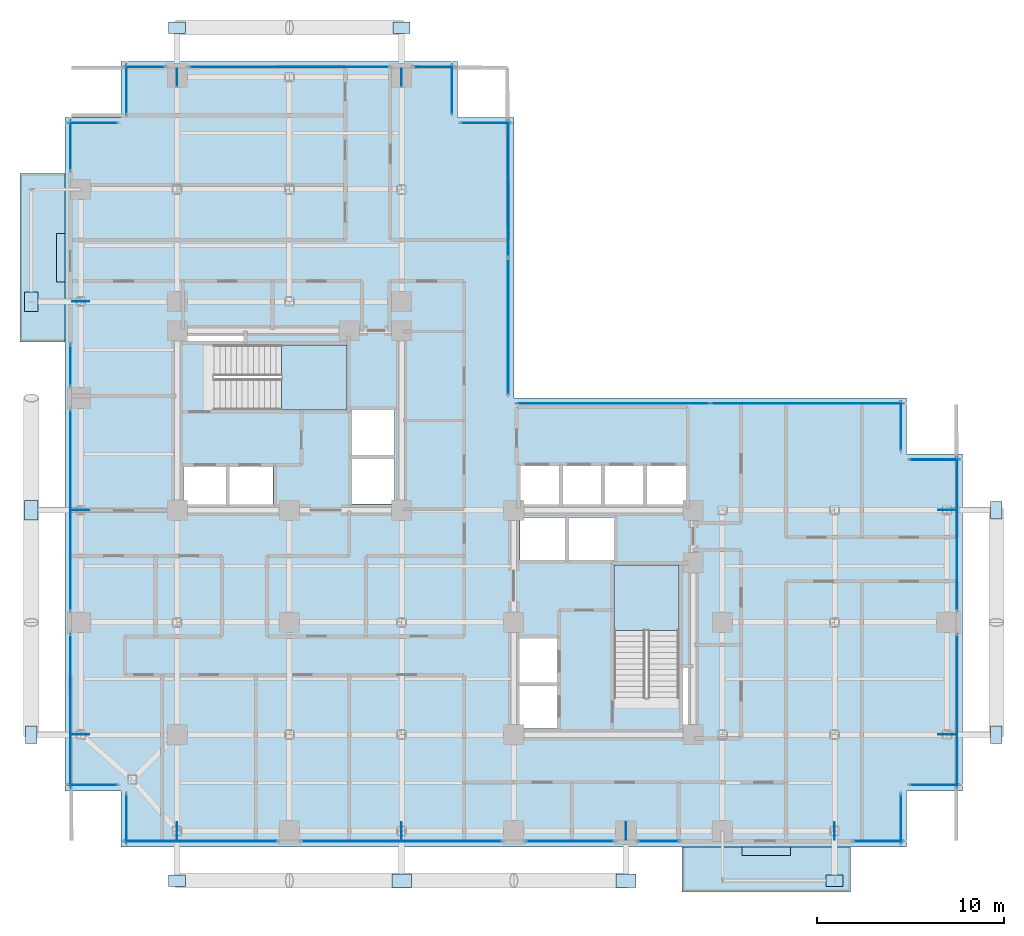
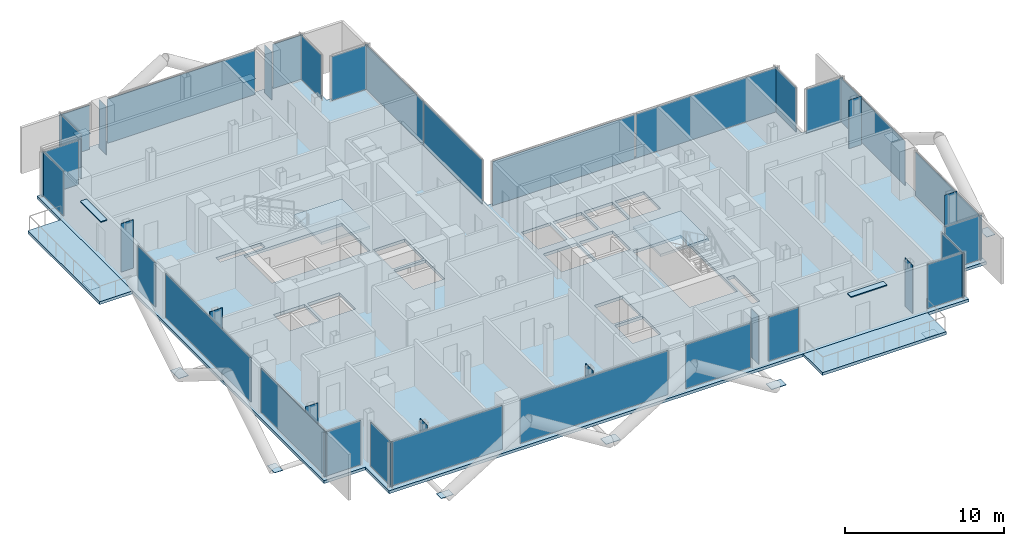
# One storey, part 18 of 28: 52 plates, 5 slabs, 28 elements without a shape of their own.
"""IFC4 building model written with IfcOpenShell, lengths in metres."""

from ifc_helpers import new_model, si_unit, direction, frame, origin, origin_2d, place, context, subcontext, project, spatial, polyline, rectangle, outline, extrude, material, layer, layer_set, type_object, element, aggregate, save


model = new_model("IFC4")

# Units and contexts
model_context = context("Model", 3, precision=1e-05, world=origin(), true_north=direction((0.0, 1.0)))
body_context = subcontext(model_context, "Body", "Model", "MODEL_VIEW")
ifc_project = project(units=[si_unit("LENGTHUNIT", "METRE"), si_unit("AREAUNIT", "SQUARE_METRE"), si_unit("VOLUMEUNIT", "CUBIC_METRE"), si_unit("PLANEANGLEUNIT", "RADIAN"), si_unit("MASSUNIT", "GRAM", prefix="KILO"), si_unit("THERMODYNAMICTEMPERATUREUNIT", "KELVIN"), si_unit("POWERUNIT", "WATT")], contexts=[model_context])

# Site, building, storey
site_placement = place(None, origin())
site = spatial("IfcSite", under=ifc_project, at=site_placement, CompositionType="ELEMENT")
building_placement = place(site_placement, origin())
building = spatial("IfcBuilding", under=site, at=building_placement, Name="Svarakhadi Broadcast Tower", CompositionType="ELEMENT")
storey_placement = place(building_placement, frame((0.0, 0.0, 119.39990234375)))
storey = spatial("IfcBuildingStorey", under=building, at=storey_placement, Name="L28", CompositionType="ELEMENT", Elevation=119.39990234375)

# Curtain wall, plate
ifc_material_1 = material(Name="Anodised Bronze Aluminium AA 6063-T6", Category="aluminium")
ifc_layer_1 = layer(ifc_material_1, 0.199951171875)
ifc_layer_set_1 = layer_set([ifc_layer_1], Name="Anodised Bronze Aluminium AA 6063-T6")
curtain_wall_type = type_object("IfcCurtainWallType", Name="CW_Sys_03", PredefinedType="NOTDEFINED", material=ifc_layer_set_1)
curtain_wall_1_placement = place(storey_placement, origin())
curtain_wall_1 = element("IfcCurtainWall", 1, at=curtain_wall_1_placement, inside=storey, type_object=curtain_wall_type, Name="L28 Unitised Facade Curtain Wall 01", PredefinedType="NOTDEFINED")
ifc_material_2 = material(Name="Double Low-E Laminated Acoustic Glass IGU 36 mm", Category="glass")
ifc_layer_2 = layer(ifc_material_2, 0.035888671875)
ifc_layer_set_2 = layer_set([ifc_layer_2], Name="Double Low-E Laminated Acoustic Glass IGU 36 mm")
plate_type_1 = type_object("IfcPlateType", Name="CW_Sys_03_Pnl", PredefinedType="CURTAIN_PANEL", material=ifc_layer_set_2)
plate_1_placement = place(storey_placement, frame((1.5, 3.300048828125, 0.0703125), z_axis=(0.0, 0.0, 1.0), x_axis=(-1.0, 0.0, 0.0)))
plate_1 = element("IfcPlate", 2, at=plate_1_placement, type_object=plate_type_1, Name="CW-03 panel 1.1", PredefinedType="CURTAIN_PANEL", context=body_context, shape_type="SweptSolid", body=[
    extrude(rectangle(XDim=2.669921875, YDim=0.035888671875, at=origin_2d()), origin(), (0.0, 0.0, 1.0), 3.385009765625),
])
aggregate(curtain_wall_1, [plate_1])

curtain_wall_2_placement = place(storey_placement, origin())
curtain_wall_2 = element("IfcCurtainWall", 3, at=curtain_wall_2_placement, inside=storey, type_object=curtain_wall_type, Name="L28 West Curtain Wall 02 Bay 1", PredefinedType="NOTDEFINED")
plate_2_placement = place(storey_placement, frame((0.300048828125, 7.260009765625, 0.0703125), z_axis=(0.0, 0.0, 1.0), x_axis=(0.0, 1.0, 0.0)))
plate_2 = element("IfcPlate", 4, at=plate_2_placement, type_object=plate_type_1, Name="CW-03 panel 1.1", PredefinedType="CURTAIN_PANEL", context=body_context, shape_type="SweptSolid", body=[
    extrude(rectangle(XDim=8.18994140625, YDim=0.035888671875, at=origin_2d()), origin(), (0.0, 0.0, 1.0), 3.385009765625),
])
aggregate(curtain_wall_2, [plate_2])

curtain_wall_3_placement = place(storey_placement, origin())
curtain_wall_3 = element("IfcCurtainWall", 5, at=curtain_wall_3_placement, inside=storey, type_object=curtain_wall_type, Name="L28 West Curtain Wall 02 Bay 2", PredefinedType="NOTDEFINED")
plate_3_placement = place(storey_placement, frame((0.300048828125, 18.0, 0.0703125), z_axis=(0.0, 0.0, 1.0), x_axis=(0.0, 1.0, 0.0)))
plate_3 = element("IfcPlate", 6, at=plate_3_placement, type_object=plate_type_1, Name="CW-03 panel 1.1", PredefinedType="CURTAIN_PANEL", context=body_context, shape_type="SweptSolid", body=[
    extrude(rectangle(XDim=10.7099609375, YDim=0.035888671875, at=origin_2d()), origin(), (0.0, 0.0, 1.0), 3.385009765625),
])
aggregate(curtain_wall_3, [plate_3])

curtain_wall_4_placement = place(storey_placement, origin())
curtain_wall_4 = element("IfcCurtainWall", 7, at=curtain_wall_4_placement, inside=storey, type_object=curtain_wall_type, Name="L28 West Curtain Wall 02 Bay 3", PredefinedType="NOTDEFINED")
plate_4_placement = place(storey_placement, frame((0.300048828125, 25.739990234375, 0.0703125), z_axis=(0.0, 0.0, 1.0), x_axis=(0.0, 1.0, 0.0)))
plate_4 = element("IfcPlate", 8, at=plate_4_placement, type_object=plate_type_1, Name="CW-03 panel 1.1", PredefinedType="CURTAIN_PANEL", context=body_context, shape_type="SweptSolid", body=[
    extrude(rectangle(XDim=2.18994140625, YDim=0.035888671875, at=origin_2d()), origin(), (0.0, 0.0, 1.0), 3.385009765625),
])
aggregate(curtain_wall_4, [plate_4])

curtain_wall_5_placement = place(storey_placement, origin())
curtain_wall_5 = element("IfcCurtainWall", 9, at=curtain_wall_5_placement, inside=storey, type_object=curtain_wall_type, Name="L28 West Curtain Wall 03", PredefinedType="NOTDEFINED")
plate_5_placement = place(storey_placement, frame((0.300048828125, 37.5, 0.0703125), z_axis=(0.0, 0.0, 1.0), x_axis=(0.0, 1.0, 0.0)))
plate_5 = element("IfcPlate", 10, at=plate_5_placement, type_object=plate_type_1, Name="CW-03 panel 1.1", PredefinedType="CURTAIN_PANEL", context=body_context, shape_type="SweptSolid", body=[
    extrude(rectangle(XDim=2.669921875, YDim=0.035888671875, at=origin_2d()), origin(), (0.0, 0.0, 1.0), 3.385009765625),
])
aggregate(curtain_wall_5, [plate_5])

curtain_wall_6_placement = place(storey_placement, origin())
curtain_wall_6 = element("IfcCurtainWall", 11, at=curtain_wall_6_placement, inside=storey, type_object=curtain_wall_type, Name="L28 Unitised Facade Curtain Wall 04", PredefinedType="NOTDEFINED")
plate_6_placement = place(storey_placement, frame((1.5, 38.699951171875, 0.0703125), z_axis=(0.0, 0.0, 1.0), x_axis=(1.0, 0.0, 0.0)))
plate_6 = element("IfcPlate", 12, at=plate_6_placement, type_object=plate_type_1, Name="CW-03 panel 1.1", PredefinedType="CURTAIN_PANEL", context=body_context, shape_type="SweptSolid", body=[
    extrude(rectangle(XDim=2.669921875, YDim=0.035888671875, at=origin_2d()), origin(), (0.0, 0.0, 1.0), 3.385009765625),
])
aggregate(curtain_wall_6, [plate_6])

curtain_wall_7_placement = place(storey_placement, origin())
curtain_wall_7 = element("IfcCurtainWall", 13, at=curtain_wall_7_placement, inside=storey, type_object=curtain_wall_type, Name="L28 Unitised Facade Curtain Wall 05", PredefinedType="NOTDEFINED")
plate_7_placement = place(storey_placement, frame((3.300048828125, 40.5, 0.0703125), z_axis=(0.0, 0.0, 1.0), x_axis=(0.0, 1.0, 0.0)))
plate_7 = element("IfcPlate", 14, at=plate_7_placement, type_object=plate_type_1, Name="CW-03 panel 1.1", PredefinedType="CURTAIN_PANEL", context=body_context, shape_type="SweptSolid", body=[
    extrude(rectangle(XDim=2.669921875, YDim=0.035888671875, at=origin_2d()), origin(), (0.0, 0.0, 1.0), 3.385009765625),
])
aggregate(curtain_wall_7, [plate_7])

curtain_wall_8_placement = place(storey_placement, origin())
curtain_wall_8 = element("IfcCurtainWall", 15, at=curtain_wall_8_placement, inside=storey, type_object=curtain_wall_type, Name="L28 Unitised Facade Curtain Wall 06 Bay 1", PredefinedType="NOTDEFINED")
plate_8_placement = place(storey_placement, frame((4.260009765625, 41.699951171875, 0.0703125), z_axis=(0.0, 0.0, 1.0), x_axis=(1.0, 0.0, 0.0)))
plate_8 = element("IfcPlate", 16, at=plate_8_placement, type_object=plate_type_1, Name="CW-03 panel 1.1", PredefinedType="CURTAIN_PANEL", context=body_context, shape_type="SweptSolid", body=[
    extrude(rectangle(XDim=2.18994140625, YDim=0.035888671875, at=origin_2d()), origin(), (0.0, 0.0, 1.0), 3.385009765625),
])
aggregate(curtain_wall_8, [plate_8])

curtain_wall_9_placement = place(storey_placement, origin())
curtain_wall_9 = element("IfcCurtainWall", 17, at=curtain_wall_9_placement, inside=storey, type_object=curtain_wall_type, Name="L28 Unitised Facade Curtain Wall 06 Bay 2", PredefinedType="NOTDEFINED")
plate_9_placement = place(storey_placement, frame((12.0, 41.699951171875, 0.0703125), z_axis=(0.0, 0.0, 1.0), x_axis=(1.0, 0.0, 0.0)))
plate_9 = element("IfcPlate", 18, at=plate_9_placement, type_object=plate_type_1, Name="CW-03 panel 1.1", PredefinedType="CURTAIN_PANEL", context=body_context, shape_type="SweptSolid", body=[
    extrude(rectangle(XDim=10.7099609375, YDim=0.035888671875, at=origin_2d()), origin(), (0.0, 0.0, 1.0), 3.385009765625),
])
aggregate(curtain_wall_9, [plate_9])

curtain_wall_10_placement = place(storey_placement, origin())
curtain_wall_10 = element("IfcCurtainWall", 19, at=curtain_wall_10_placement, inside=storey, type_object=curtain_wall_type, Name="L28 Unitised Facade Curtain Wall 06 Bay 3", PredefinedType="NOTDEFINED")
plate_10_placement = place(storey_placement, frame((19.739990234375, 41.699951171875, 0.0703125), z_axis=(0.0, 0.0, 1.0), x_axis=(1.0, 0.0, 0.0)))
plate_10 = element("IfcPlate", 20, at=plate_10_placement, type_object=plate_type_1, Name="CW-03 panel 1.1", PredefinedType="CURTAIN_PANEL", context=body_context, shape_type="SweptSolid", body=[
    extrude(rectangle(XDim=2.18994140625, YDim=0.035888671875, at=origin_2d()), origin(), (0.0, 0.0, 1.0), 3.385009765625),
])
aggregate(curtain_wall_10, [plate_10])

curtain_wall_11_placement = place(storey_placement, origin())
curtain_wall_11 = element("IfcCurtainWall", 21, at=curtain_wall_11_placement, inside=storey, type_object=curtain_wall_type, Name="L28 Unitised Facade Curtain Wall 07", PredefinedType="NOTDEFINED")
plate_11_placement = place(storey_placement, frame((20.699951171875, 40.5, 0.0703125), z_axis=(0.0, 0.0, 1.0), x_axis=(0.0, -1.0, 0.0)))
plate_11 = element("IfcPlate", 22, at=plate_11_placement, type_object=plate_type_1, Name="CW-03 panel 1.1", PredefinedType="CURTAIN_PANEL", context=body_context, shape_type="SweptSolid", body=[
    extrude(rectangle(XDim=2.669921875, YDim=0.035888671875, at=origin_2d()), origin(), (0.0, 0.0, 1.0), 3.385009765625),
])
aggregate(curtain_wall_11, [plate_11])

curtain_wall_12_placement = place(storey_placement, origin())
curtain_wall_12 = element("IfcCurtainWall", 23, at=curtain_wall_12_placement, inside=storey, type_object=curtain_wall_type, Name="L28 Unitised Facade Curtain Wall 08", PredefinedType="NOTDEFINED")
plate_12_placement = place(storey_placement, frame((22.5, 38.699951171875, 0.0703125), z_axis=(0.0, 0.0, 1.0), x_axis=(1.0, 0.0, 0.0)))
plate_12 = element("IfcPlate", 24, at=plate_12_placement, type_object=plate_type_1, Name="CW-03 panel 1.1", PredefinedType="CURTAIN_PANEL", context=body_context, shape_type="SweptSolid", body=[
    extrude(rectangle(XDim=2.669921875, YDim=0.035888671875, at=origin_2d()), origin(), (0.0, 0.0, 1.0), 3.385009765625),
])
aggregate(curtain_wall_12, [plate_12])

# Curtain wall, plates
curtain_wall_13_placement = place(storey_placement, origin())
curtain_wall_13 = element("IfcCurtainWall", 25, at=curtain_wall_13_placement, inside=storey, type_object=curtain_wall_type, Name="L28 Unitised Facade Curtain Wall 09", PredefinedType="NOTDEFINED")
plate_13_placement = place(storey_placement, frame((23.699951171875, 35.186279296875, 0.0703125), z_axis=(0.0, 0.0, 1.0), x_axis=(0.0, -1.0, 0.0)))
plate_13 = element("IfcPlate", 26, at=plate_13_placement, type_object=plate_type_1, Name="CW-03 panel 1.1", PredefinedType="CURTAIN_PANEL", context=body_context, shape_type="SweptSolid", body=[
    extrude(rectangle(XDim=7.297607421875, YDim=0.035888671875, at=origin_2d()), origin(), (0.0, 0.0, 1.0), 3.385009765625),
])
plate_14_placement = place(storey_placement, frame((23.699951171875, 27.813720703125, 0.0703125), z_axis=(0.0, 0.0, 1.0), x_axis=(0.0, -1.0, 0.0)))
plate_14 = element("IfcPlate", 27, at=plate_14_placement, type_object=plate_type_1, Name="CW-03 panel 2.1", PredefinedType="CURTAIN_PANEL", context=body_context, shape_type="SweptSolid", body=[
    extrude(rectangle(XDim=7.297607421875, YDim=0.035888671875, at=origin_2d()), origin(), (0.0, 0.0, 1.0), 3.385009765625),
])
aggregate(curtain_wall_13, [plate_13, plate_14])

curtain_wall_14_placement = place(storey_placement, origin())
curtain_wall_14 = element("IfcCurtainWall", 28, at=curtain_wall_14_placement, inside=storey, type_object=curtain_wall_type, Name="L28 Unitised Facade Curtain Wall 10", PredefinedType="NOTDEFINED")
plate_15_placement = place(storey_placement, frame((29.313720703125, 23.699951171875, 0.0703125), z_axis=(0.0, 0.0, 1.0), x_axis=(1.0, 0.0, 0.0)))
plate_15 = element("IfcPlate", 29, at=plate_15_placement, type_object=plate_type_1, Name="CW-03 panel 1.1", PredefinedType="CURTAIN_PANEL", context=body_context, shape_type="SweptSolid", body=[
    extrude(rectangle(XDim=10.297607421875, YDim=0.035888671875, at=origin_2d()), origin(), (0.0, 0.0, 1.0), 3.385009765625),
])
plate_16_placement = place(storey_placement, frame((39.686279296875, 23.699951171875, 0.0703125), z_axis=(0.0, 0.0, 1.0), x_axis=(1.0, 0.0, 0.0)))
plate_16 = element("IfcPlate", 30, at=plate_16_placement, type_object=plate_type_1, Name="CW-03 panel 2.1", PredefinedType="CURTAIN_PANEL", context=body_context, shape_type="SweptSolid", body=[
    extrude(rectangle(XDim=10.297607421875, YDim=0.035888671875, at=origin_2d()), origin(), (0.0, 0.0, 1.0), 3.385009765625),
])
aggregate(curtain_wall_14, [plate_15, plate_16])

# Curtain wall, plate
curtain_wall_15_placement = place(storey_placement, origin())
curtain_wall_15 = element("IfcCurtainWall", 31, at=curtain_wall_15_placement, inside=storey, type_object=curtain_wall_type, Name="L28 Unitised Facade Curtain Wall 11", PredefinedType="NOTDEFINED")
plate_17_placement = place(storey_placement, frame((44.699951171875, 22.5, 0.0703125), z_axis=(0.0, 0.0, 1.0), x_axis=(0.0, -1.0, 0.0)))
plate_17 = element("IfcPlate", 32, at=plate_17_placement, type_object=plate_type_1, Name="CW-03 panel 1.1", PredefinedType="CURTAIN_PANEL", context=body_context, shape_type="SweptSolid", body=[
    extrude(rectangle(XDim=2.669921875, YDim=0.035888671875, at=origin_2d()), origin(), (0.0, 0.0, 1.0), 3.385009765625),
])
aggregate(curtain_wall_15, [plate_17])

curtain_wall_16_placement = place(storey_placement, origin())
curtain_wall_16 = element("IfcCurtainWall", 33, at=curtain_wall_16_placement, inside=storey, type_object=curtain_wall_type, Name="L28 Unitised Facade Curtain Wall 12", PredefinedType="NOTDEFINED")
plate_18_placement = place(storey_placement, frame((46.5, 20.699951171875, 0.0703125), z_axis=(0.0, 0.0, 1.0), x_axis=(1.0, 0.0, 0.0)))
plate_18 = element("IfcPlate", 34, at=plate_18_placement, type_object=plate_type_1, Name="CW-03 panel 1.1", PredefinedType="CURTAIN_PANEL", context=body_context, shape_type="SweptSolid", body=[
    extrude(rectangle(XDim=2.669921875, YDim=0.035888671875, at=origin_2d()), origin(), (0.0, 0.0, 1.0), 3.385009765625),
])
aggregate(curtain_wall_16, [plate_18])

curtain_wall_17_placement = place(storey_placement, origin())
curtain_wall_17 = element("IfcCurtainWall", 35, at=curtain_wall_17_placement, inside=storey, type_object=curtain_wall_type, Name="L28 Unitised Facade Curtain Wall 13 Bay 1", PredefinedType="NOTDEFINED")
plate_19_placement = place(storey_placement, frame((47.699951171875, 16.739990234375, 0.0703125), z_axis=(0.0, 0.0, 1.0), x_axis=(0.0, -1.0, 0.0)))
plate_19 = element("IfcPlate", 36, at=plate_19_placement, type_object=plate_type_1, Name="CW-03 panel 1.1", PredefinedType="CURTAIN_PANEL", context=body_context, shape_type="SweptSolid", body=[
    extrude(rectangle(XDim=8.18994140625, YDim=0.035888671875, at=origin_2d()), origin(), (0.0, 0.0, 1.0), 3.385009765625),
])
aggregate(curtain_wall_17, [plate_19])

curtain_wall_18_placement = place(storey_placement, origin())
curtain_wall_18 = element("IfcCurtainWall", 37, at=curtain_wall_18_placement, inside=storey, type_object=curtain_wall_type, Name="L28 Unitised Facade Curtain Wall 13 Bay 2", PredefinedType="NOTDEFINED")
plate_20_placement = place(storey_placement, frame((47.699951171875, 7.260009765625, 0.0703125), z_axis=(0.0, 0.0, 1.0), x_axis=(0.0, -1.0, 0.0)))
plate_20 = element("IfcPlate", 38, at=plate_20_placement, type_object=plate_type_1, Name="CW-03 panel 1.1", PredefinedType="CURTAIN_PANEL", context=body_context, shape_type="SweptSolid", body=[
    extrude(rectangle(XDim=8.18994140625, YDim=0.035888671875, at=origin_2d()), origin(), (0.0, 0.0, 1.0), 3.385009765625),
])
aggregate(curtain_wall_18, [plate_20])

curtain_wall_19_placement = place(storey_placement, origin())
curtain_wall_19 = element("IfcCurtainWall", 39, at=curtain_wall_19_placement, inside=storey, type_object=curtain_wall_type, Name="L28 Unitised Facade Curtain Wall 14", PredefinedType="NOTDEFINED")
plate_21_placement = place(storey_placement, frame((46.5, 3.300048828125, 0.0703125), z_axis=(0.0, 0.0, 1.0), x_axis=(-1.0, 0.0, 0.0)))
plate_21 = element("IfcPlate", 40, at=plate_21_placement, type_object=plate_type_1, Name="CW-03 panel 1.1", PredefinedType="CURTAIN_PANEL", context=body_context, shape_type="SweptSolid", body=[
    extrude(rectangle(XDim=2.669921875, YDim=0.035888671875, at=origin_2d()), origin(), (0.0, 0.0, 1.0), 3.385009765625),
])
aggregate(curtain_wall_19, [plate_21])

curtain_wall_20_placement = place(storey_placement, origin())
curtain_wall_20 = element("IfcCurtainWall", 41, at=curtain_wall_20_placement, inside=storey, type_object=curtain_wall_type, Name="L28 Unitised Facade Curtain Wall 15", PredefinedType="NOTDEFINED")
plate_22_placement = place(storey_placement, frame((44.699951171875, 1.5, 0.0703125), z_axis=(0.0, 0.0, 1.0), x_axis=(0.0, -1.0, 0.0)))
plate_22 = element("IfcPlate", 42, at=plate_22_placement, type_object=plate_type_1, Name="CW-03 panel 1.1", PredefinedType="CURTAIN_PANEL", context=body_context, shape_type="SweptSolid", body=[
    extrude(rectangle(XDim=2.669921875, YDim=0.035888671875, at=origin_2d()), origin(), (0.0, 0.0, 1.0), 3.385009765625),
])
aggregate(curtain_wall_20, [plate_22])

curtain_wall_21_placement = place(storey_placement, origin())
curtain_wall_21 = element("IfcCurtainWall", 43, at=curtain_wall_21_placement, inside=storey, type_object=curtain_wall_type, Name="L28 South Curtain Wall 16", PredefinedType="NOTDEFINED")
plate_23_placement = place(storey_placement, frame((43.5, 0.300048828125, 0.0703125), z_axis=(0.0, 0.0, 1.0), x_axis=(-1.0, 0.0, 0.0)))
plate_23 = element("IfcPlate", 44, at=plate_23_placement, type_object=plate_type_1, Name="CW-03 panel 1.1", PredefinedType="CURTAIN_PANEL", context=body_context, shape_type="SweptSolid", body=[
    extrude(rectangle(XDim=2.669921875, YDim=0.035888671875, at=origin_2d()), origin(), (0.0, 0.0, 1.0), 3.385009765625),
])
aggregate(curtain_wall_21, [plate_23])

curtain_wall_22_placement = place(storey_placement, origin())
curtain_wall_22 = element("IfcCurtainWall", 45, at=curtain_wall_22_placement, inside=storey, type_object=curtain_wall_type, Name="L28 South Curtain Wall 17 Bay 1", PredefinedType="NOTDEFINED")
plate_24_placement = place(storey_placement, frame((31.739990234375, 0.300048828125, 0.0703125), z_axis=(0.0, 0.0, 1.0), x_axis=(-1.0, 0.0, 0.0)))
plate_24 = element("IfcPlate", 46, at=plate_24_placement, type_object=plate_type_1, Name="CW-03 panel 1.1", PredefinedType="CURTAIN_PANEL", context=body_context, shape_type="SweptSolid", body=[
    extrude(rectangle(XDim=2.18994140625, YDim=0.035888671875, at=origin_2d()), origin(), (0.0, 0.0, 1.0), 3.385009765625),
])
aggregate(curtain_wall_22, [plate_24])

curtain_wall_23_placement = place(storey_placement, origin())
curtain_wall_23 = element("IfcCurtainWall", 47, at=curtain_wall_23_placement, inside=storey, type_object=curtain_wall_type, Name="L28 South Curtain Wall 17 Bay 2", PredefinedType="NOTDEFINED")
plate_25_placement = place(storey_placement, frame((27.0, 0.300048828125, 0.0703125), z_axis=(0.0, 0.0, 1.0), x_axis=(-1.0, 0.0, 0.0)))
plate_25 = element("IfcPlate", 48, at=plate_25_placement, type_object=plate_type_1, Name="CW-03 panel 1.1", PredefinedType="CURTAIN_PANEL", context=body_context, shape_type="SweptSolid", body=[
    extrude(rectangle(XDim=4.7099609375, YDim=0.035888671875, at=origin_2d()), origin(), (0.0, 0.0, 1.0), 3.385009765625),
])
aggregate(curtain_wall_23, [plate_25])

curtain_wall_24_placement = place(storey_placement, origin())
curtain_wall_24 = element("IfcCurtainWall", 49, at=curtain_wall_24_placement, inside=storey, type_object=curtain_wall_type, Name="L28 South Curtain Wall 17 Bay 3", PredefinedType="NOTDEFINED")
plate_26_placement = place(storey_placement, frame((18.0, 0.300048828125, 0.0703125), z_axis=(0.0, 0.0, 1.0), x_axis=(-1.0, 0.0, 0.0)))
plate_26 = element("IfcPlate", 50, at=plate_26_placement, type_object=plate_type_1, Name="CW-03 panel 1.1", PredefinedType="CURTAIN_PANEL", context=body_context, shape_type="SweptSolid", body=[
    extrude(rectangle(XDim=10.7099609375, YDim=0.035888671875, at=origin_2d()), origin(), (0.0, 0.0, 1.0), 3.385009765625),
])
aggregate(curtain_wall_24, [plate_26])

curtain_wall_25_placement = place(storey_placement, origin())
curtain_wall_25 = element("IfcCurtainWall", 51, at=curtain_wall_25_placement, inside=storey, type_object=curtain_wall_type, Name="L28 South Curtain Wall 17 Bay 4", PredefinedType="NOTDEFINED")
plate_27_placement = place(storey_placement, frame((7.260009765625, 0.300048828125, 0.0703125), z_axis=(0.0, 0.0, 1.0), x_axis=(-1.0, 0.0, 0.0)))
plate_27 = element("IfcPlate", 52, at=plate_27_placement, type_object=plate_type_1, Name="CW-03 panel 1.1", PredefinedType="CURTAIN_PANEL", context=body_context, shape_type="SweptSolid", body=[
    extrude(rectangle(XDim=8.18994140625, YDim=0.035888671875, at=origin_2d()), origin(), (0.0, 0.0, 1.0), 3.385009765625),
])
aggregate(curtain_wall_25, [plate_27])

curtain_wall_26_placement = place(storey_placement, origin())
curtain_wall_26 = element("IfcCurtainWall", 53, at=curtain_wall_26_placement, inside=storey, type_object=curtain_wall_type, Name="L28 Unitised Facade Curtain Wall 18", PredefinedType="NOTDEFINED")
plate_28_placement = place(storey_placement, frame((3.300048828125, 1.5, 0.0703125), z_axis=(0.0, 0.0, 1.0), x_axis=(0.0, 1.0, 0.0)))
plate_28 = element("IfcPlate", 54, at=plate_28_placement, type_object=plate_type_1, Name="CW-03 panel 1.1", PredefinedType="CURTAIN_PANEL", context=body_context, shape_type="SweptSolid", body=[
    extrude(rectangle(XDim=2.669921875, YDim=0.035888671875, at=origin_2d()), origin(), (0.0, 0.0, 1.0), 3.385009765625),
])
aggregate(curtain_wall_26, [plate_28])

# Plates
ifc_material_3 = material(Name="Steel S460ML (IS 2062 E450BR)", Category="steel")
ifc_layer_3 = layer(ifc_material_3, 0.031982421875)
ifc_layer_set_3 = layer_set([ifc_layer_3], Name="Steel S460ML (IS 2062 E450BR)")
plate_type_2 = type_object("IfcPlateType", Name="Node_Gusset_N02", PredefinedType="SHEET", material=ifc_layer_set_3)
for number, where, z_axis, x_axis, name in (
    (55, (18.0, -1.800048828125, -0.22509765625), (0.0, 0.0, 1.0), (1.0, 0.0, 0.0), "L28 Exoskeleton Gusset Node Plate S02"),
    (56, (30.0, -1.800048828125, -0.22509765625), (0.0, 0.0, 1.0), (1.0, 0.0, 0.0), "L28 Exoskeleton Gusset Node Plate S03"),
    (57, (-1.800048828125, 18.0, -0.22509765625), (0.0, 0.0, 1.0), (0.0, 1.0, 0.0), "L28 Exoskeleton Gusset Node Plate W06"),
    (58, (-1.800048828125, 29.14990234375, -0.22509765625), (0.0, 0.0, 1.0), (0.0, 1.0, 0.0), "L28 Exoskeleton Gusset Node Plate W07"),
):
    element("IfcPlate", number, at=place(storey_placement, frame(where, z_axis=z_axis, x_axis=x_axis)), inside=storey, type_object=plate_type_2, Name=name, PredefinedType="SHEET", context=body_context, shape_type="SweptSolid", body=[
        extrude(rectangle(XDim=1.050048828125, YDim=0.719970703125, at=origin_2d()), origin(), (0.0, 0.0, 1.0), 0.031982421875),
    ])
ifc_layer_4 = layer(ifc_material_3, 0.02587890625)
ifc_layer_set_4 = layer_set([ifc_layer_4], Name="Steel S460ML (IS 2062 E450BR)")
plate_type_3 = type_object("IfcPlateType", Name="Node_Gusset_N07", PredefinedType="SHEET", material=ifc_layer_set_4)
for number, where, z_axis, x_axis, name in (
    (59, (6.0, -1.800048828125, -0.224853515625), (0.0, 0.0, 1.0), (1.0, 0.0, 0.0), "L28 Exoskeleton Gusset Node Plate S01"),
    (60, (41.14990234375, -1.800048828125, -0.224853515625), (0.0, 0.0, 1.0), (1.0, 0.0, 0.0), "L28 Exoskeleton Gusset Node Plate S04"),
    (61, (-1.800048828125, 6.0, -0.224853515625), (0.0, 0.0, 1.0), (0.0, 1.0, 0.0), "L28 Exoskeleton Gusset Node Plate W05"),
    (62, (49.800048828125, 6.0, -0.224853515625), (0.0, 0.0, 1.0), (0.0, 1.0, 0.0), "L28 Exoskeleton Gusset Node Plate E08"),
    (63, (49.800048828125, 18.0, -0.224853515625), (0.0, 0.0, 1.0), (0.0, 1.0, 0.0), "L28 Exoskeleton Gusset Node Plate E09"),
    (64, (6.0, 43.800048828125, -0.224853515625), (0.0, 0.0, 1.0), (1.0, 0.0, 0.0), "L28 Exoskeleton Gusset Node Plate N10"),
    (65, (18.0, 43.800048828125, -0.224853515625), (0.0, 0.0, 1.0), (1.0, 0.0, 0.0), "L28 Exoskeleton Gusset Node Plate N11"),
):
    element("IfcPlate", number, at=place(storey_placement, frame(where, z_axis=z_axis, x_axis=x_axis)), inside=storey, type_object=plate_type_3, Name=name, PredefinedType="SHEET", context=body_context, shape_type="SweptSolid", body=[
        extrude(rectangle(XDim=0.919921875, YDim=0.6201171875, at=origin_2d()), origin(), (0.0, 0.0, 1.0), 0.02587890625),
    ])
for number, where, z_axis, x_axis, name in (
    (66, (6.0, 0.85009765625, -0.5869140625), (0.0, 0.0, 1.0), (0.0, 1.0, 0.0), "L28 Brace End Connection Gusset Plate N-07-E0225"),
    (67, (18.0, 0.85009765625, -0.5869140625), (0.0, 0.0, 1.0), (0.0, 1.0, 0.0), "L28 Brace End Connection Gusset Plate N-07-E0226"),
    (68, (30.0, 0.85009765625, -0.5869140625), (0.0, 0.0, 1.0), (0.0, 1.0, 0.0), "L28 Brace End Connection Gusset Plate N-07-E0227"),
    (69, (41.14990234375, 0.85009765625, -0.5869140625), (0.0, 0.0, 1.0), (0.0, 1.0, 0.0), "L28 Brace End Connection Gusset Plate N-07-E0228"),
    (70, (0.85009765625, 6.0, -0.5869140625), (0.0, 0.0, 1.0), (1.0, 0.0, 0.0), "L28 Brace End Connection Gusset Plate N-07-E0229"),
    (71, (0.85009765625, 18.0, -0.5869140625), (0.0, 0.0, 1.0), (1.0, 0.0, 0.0), "L28 Brace End Connection Gusset Plate N-07-E0230"),
    (72, (0.85009765625, 29.14990234375, -0.5869140625), (0.0, 0.0, 1.0), (1.0, 0.0, 0.0), "L28 Brace End Connection Gusset Plate N-07-E0231"),
    (73, (47.14990234375, 6.0, -0.5869140625), (0.0, 0.0, 1.0), (1.0, 0.0, 0.0), "L28 Brace End Connection Gusset Plate N-07-E0232"),
    (74, (47.14990234375, 18.0, -0.5869140625), (0.0, 0.0, 1.0), (1.0, 0.0, 0.0), "L28 Brace End Connection Gusset Plate N-07-E0233"),
    (75, (6.0, 41.14990234375, -0.5869140625), (0.0, 0.0, 1.0), (0.0, 1.0, 0.0), "L28 Brace End Connection Gusset Plate N-07-E0234"),
    (76, (18.0, 41.14990234375, -0.5869140625), (0.0, 0.0, 1.0), (0.0, 1.0, 0.0), "L28 Brace End Connection Gusset Plate N-07-E0235"),
):
    element("IfcPlate", number, at=place(storey_placement, frame(where, z_axis=z_axis, x_axis=x_axis)), inside=storey, type_object=plate_type_3, Name=name, PredefinedType="SHEET", context=body_context, shape_type="SweptSolid", body=[
        extrude(rectangle(XDim=0.919921875, YDim=0.02587890625, at=origin_2d()), origin(), (0.0, 0.0, 1.0), 4.300048828125),
    ])

# Slab
ifc_material_4 = material(Name="Concrete C40/50 (IS 456 M50)", Category="concrete")
ifc_layer_5 = layer(ifc_material_4, 0.22509765625)
ifc_layer_set_5 = layer_set([ifc_layer_5], Name="Concrete C40/50 (IS 456 M50)")
slab_type_1 = type_object("IfcSlabType", Name="Slab_Floor_225", PredefinedType="FLOOR", material=ifc_layer_set_5)
slab_1_placement = place(storey_placement, frame((0.0, 0.0, -0.224853515625)))
element("IfcSlab", 77, at=slab_1_placement, inside=storey, type_object=slab_type_1, Name="L28 Structural Floor Slab", PredefinedType="FLOOR", context=body_context, shape_type="SweptSolid", body=[
    extrude(outline(polyline([(3.0, 0.0), (45.0, 0.0), (45.0, 3.0), (48.0, 3.0), (48.0, 21.0), (45.0, 21.0), (45.0, 24.0), (24.0, 24.0), (24.0, 39.0), (21.0, 39.0), (21.0, 42.0), (3.0, 42.0), (3.0, 39.0), (0.0, 39.0), (0.0, 3.0), (3.0, 3.0), (3.0, 0.0)]), holes=[polyline([(7.97998046875, 23.360107421875), (15.080078125, 23.360107421875), (15.080078125, 26.840087890625), (7.97998046875, 26.840087890625), (7.97998046875, 23.360107421875)]), polyline([(32.840087890625, 7.97998046875), (32.840087890625, 15.080078125), (29.360107421875, 15.080078125), (29.360107421875, 7.97998046875), (32.840087890625, 7.97998046875)]), polyline([(6.340087890625, 18.2900390625), (8.610107421875, 18.2900390625), (8.610107421875, 20.330078125), (6.340087890625, 20.330078125), (6.340087890625, 18.2900390625)]), polyline([(8.7900390625, 18.2900390625), (11.1298828125, 18.2900390625), (11.1298828125, 20.330078125), (8.7900390625, 20.330078125), (8.7900390625, 18.2900390625)]), polyline([(24.2900390625, 6.340087890625), (26.330078125, 6.340087890625), (26.330078125, 8.610107421875), (24.2900390625, 8.610107421875), (24.2900390625, 6.340087890625)]), polyline([(24.2900390625, 8.7900390625), (26.330078125, 8.7900390625), (26.330078125, 11.1298828125), (24.2900390625, 11.1298828125), (24.2900390625, 8.7900390625)]), polyline([(6.340087890625, 26.989990234375), (9.610107421875, 26.989990234375), (9.610107421875, 27.530029296875), (6.340087890625, 27.530029296875), (6.340087890625, 26.989990234375)]), polyline([(32.989990234375, 6.340087890625), (33.530029296875, 6.340087890625), (33.530029296875, 9.610107421875), (32.989990234375, 9.610107421875), (32.989990234375, 6.340087890625)]), polyline([(15.340087890625, 18.340087890625), (17.610107421875, 18.340087890625), (17.610107421875, 20.760009765625), (15.340087890625, 20.760009765625), (15.340087890625, 18.340087890625)]), polyline([(15.340087890625, 20.93994140625), (17.610107421875, 20.93994140625), (17.610107421875, 23.360107421875), (15.340087890625, 23.360107421875), (15.340087890625, 20.93994140625)]), polyline([(24.340087890625, 15.340087890625), (26.760009765625, 15.340087890625), (26.760009765625, 17.610107421875), (24.340087890625, 17.610107421875), (24.340087890625, 15.340087890625)]), polyline([(26.93994140625, 15.340087890625), (29.360107421875, 15.340087890625), (29.360107421875, 17.610107421875), (26.93994140625, 17.610107421875), (26.93994140625, 15.340087890625)]), polyline([(24.340087890625, 18.239990234375), (26.429931640625, 18.239990234375), (26.429931640625, 20.360107421875), (24.340087890625, 20.360107421875), (24.340087890625, 18.239990234375)]), polyline([(26.610107421875, 18.239990234375), (28.679931640625, 18.239990234375), (28.679931640625, 20.360107421875), (26.610107421875, 20.360107421875), (26.610107421875, 18.239990234375)]), polyline([(28.860107421875, 18.239990234375), (30.929931640625, 18.239990234375), (30.929931640625, 20.360107421875), (28.860107421875, 20.360107421875), (28.860107421875, 18.239990234375)]), polyline([(31.110107421875, 18.239990234375), (33.2099609375, 18.239990234375), (33.2099609375, 20.360107421875), (31.110107421875, 20.360107421875), (31.110107421875, 18.239990234375)])]), origin(), (0.0, 0.0, 1.0), 0.224853515625),
])

# Stair, slab
stair_type = type_object("IfcStairType", Name="Stair_Exit_Core", PredefinedType="HALF_TURN_STAIR", material=ifc_material_4)
stair_1_placement = place(storey_placement, origin())
stair_1 = element("IfcStair", 78, at=stair_1_placement, inside=storey, type_object=stair_type, Name="L28 West Core Protected Exit Stair ST-01", PredefinedType="HALF_TURN_STAIR")
ifc_layer_6 = layer(ifc_material_4, 0.199951171875)
ifc_layer_set_6 = layer_set([ifc_layer_6], Name="Concrete C40/50 (IS 456 M50)")
slab_type_2 = type_object("IfcSlabType", Name="Slab_Stair_Land", PredefinedType="LANDING", material=ifc_layer_set_6)
slab_2_placement = place(storey_placement, frame((0.0, 0.0, 1.675048828125)))
slab_2 = element("IfcSlab", 79, at=slab_2_placement, type_object=slab_type_2, Name="ST-01 landing 1", PredefinedType="LANDING", context=body_context, shape_type="SweptSolid", body=[
    extrude(outline(polyline([(11.580078125, 23.360107421875), (15.080078125, 23.360107421875), (15.080078125, 26.840087890625), (11.580078125, 26.840087890625), (11.580078125, 23.360107421875)])), origin(), (0.0, 0.0, 1.0), 0.199951171875),
])
aggregate(stair_1, [slab_2])

stair_2_placement = place(storey_placement, origin())
stair_2 = element("IfcStair", 80, at=stair_2_placement, inside=storey, type_object=stair_type, Name="L28 East Core Protected Exit Stair ST-02", PredefinedType="HALF_TURN_STAIR")
slab_3_placement = place(storey_placement, frame((0.0, 0.0, 1.675048828125)))
slab_3 = element("IfcSlab", 81, at=slab_3_placement, type_object=slab_type_2, Name="ST-02 landing 1", PredefinedType="LANDING", context=body_context, shape_type="SweptSolid", body=[
    extrude(outline(polyline([(32.840087890625, 11.580078125), (32.840087890625, 15.080078125), (29.360107421875, 15.080078125), (29.360107421875, 11.580078125), (32.840087890625, 11.580078125)])), origin(), (0.0, 0.0, 1.0), 0.199951171875),
])
aggregate(stair_2, [slab_3])

# Slabs
ifc_layer_7 = layer(ifc_material_4, 0.22509765625)
ifc_layer_set_7 = layer_set([ifc_layer_7], Name="Concrete C40/50 (IS 456 M50)")
slab_type_3 = type_object("IfcSlabType", Name="Slab_TreeBalcony", PredefinedType="FLOOR", material=ifc_layer_set_7)
slab_4_placement = place(storey_placement, frame((0.0, 0.0, -0.224853515625)))
element("IfcSlab", 82, at=slab_4_placement, inside=storey, type_object=slab_type_3, Name="L28 Planted Tree Balcony Slab BAL-E", PredefinedType="FLOOR", context=body_context, shape_type="SweptSolid", body=[
    extrude(outline(polyline([(33.0, -2.39990234375), (42.0, -2.39990234375), (42.0, 0.0), (33.0, 0.0), (33.0, -2.39990234375)])), origin(), (0.0, 0.0, 1.0), 0.224853515625),
])
slab_5_placement = place(storey_placement, frame((0.0, 0.0, -0.224853515625)))
element("IfcSlab", 83, at=slab_5_placement, inside=storey, type_object=slab_type_3, Name="L28 Planted Tree Balcony Slab BAL-N", PredefinedType="FLOOR", context=body_context, shape_type="SweptSolid", body=[
    extrude(outline(polyline([(-2.39990234375, 27.0), (0.0, 27.0), (0.0, 36.0), (-2.39990234375, 36.0), (-2.39990234375, 27.0)])), origin(), (0.0, 0.0, 1.0), 0.224853515625),
])

# Plates
ifc_layer_8 = layer(ifc_material_1, 0.080078125)
ifc_layer_set_8 = layer_set([ifc_layer_8], Name="Anodised Bronze Aluminium AA 6063-T6")
plate_type_4 = type_object("IfcPlateType", Name="Sunshade_Fin_SS01", PredefinedType="USERDEFINED", material=ifc_layer_set_8)
for number, where, z_axis, x_axis, name in (
    (84, (37.5, -0.22509765625, 3.445068359375), (0.0, 0.0, 1.0), (1.0, 0.0, 0.0), "L28 South Bronze Brise-Soleil Sunshade SS-01"),
    (85, (-0.22509765625, 31.5, 3.445068359375), (0.0, 0.0, 1.0), (0.0, 1.0, 0.0), "L28 West Bronze Brise-Soleil Sunshade SS-01"),
):
    element("IfcPlate", number, at=place(storey_placement, frame(where, z_axis=z_axis, x_axis=x_axis)), inside=storey, type_object=plate_type_4, Name=name, ObjectType="SUNSHADE", PredefinedType="USERDEFINED", context=body_context, shape_type="SweptSolid", body=[
        extrude(rectangle(XDim=2.60009765625, YDim=0.449951171875, at=origin_2d()), origin(), (0.0, 0.0, 1.0), 0.080078125),
    ])

save(model, "model.ifc")
